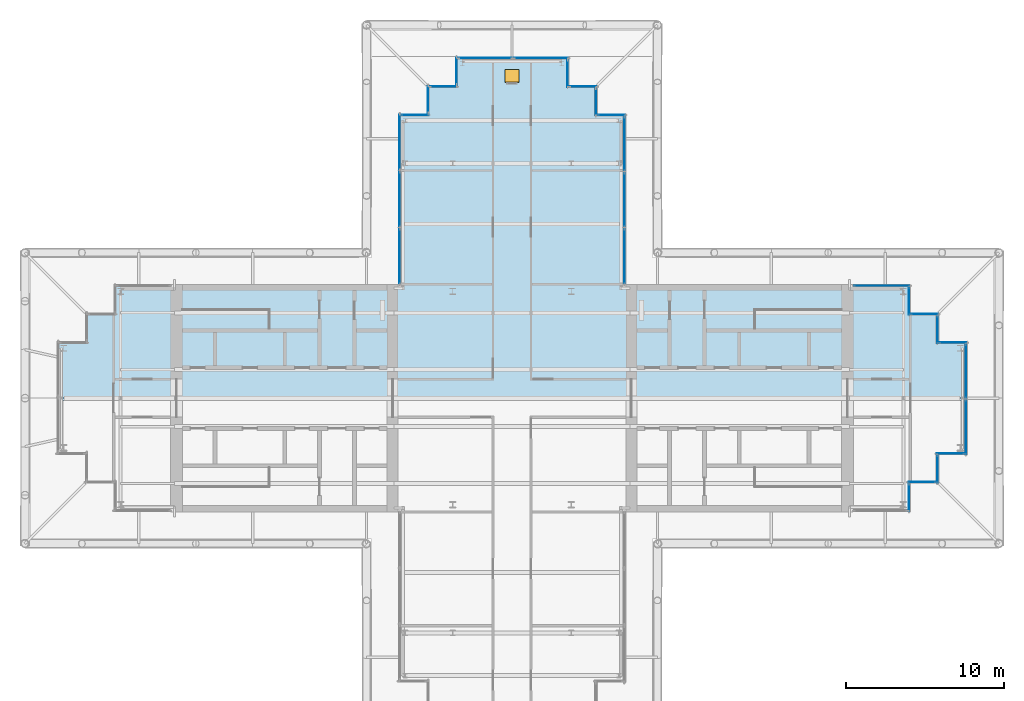
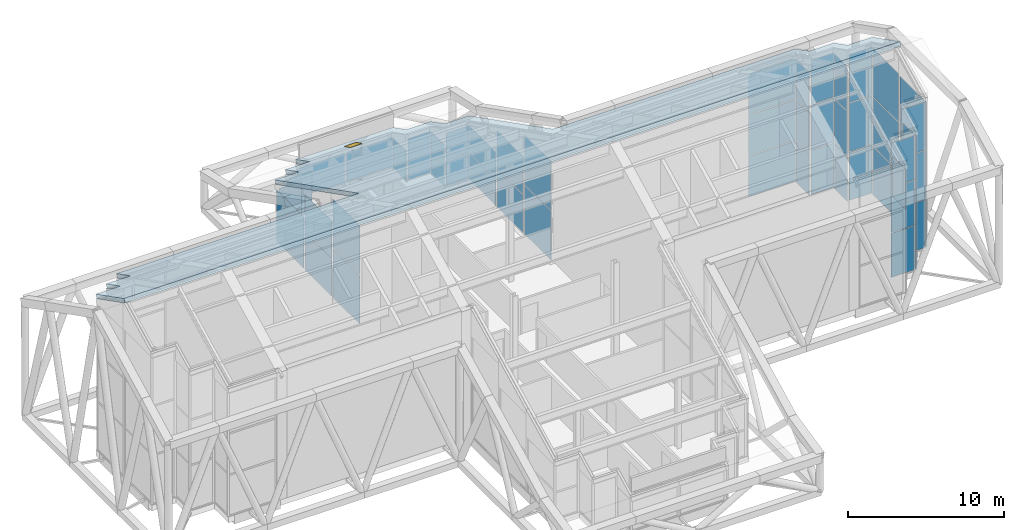
# One storey, part 19 of 25: 54 plates, 1 door, 1 slab, 1 opening, 27 elements without a shape of their own.
"""IFC4 building model written with IfcOpenShell, lengths in metres."""

from ifc_helpers import new_model, si_unit, direction, frame, frame_2d, origin, origin_2d, place, context, subcontext, project, spatial, polyline, rectangle, outline, extrude, material, layer, layer_set, type_object, element, fill, aggregate, save


model = new_model("IFC4")

# Units and contexts
model_context = context("Model", 3, precision=1e-05, world=origin(), true_north=direction((0.0, 1.0)))
body_context = subcontext(model_context, "Body", "Model", "MODEL_VIEW")
ifc_project = project(units=[si_unit("LENGTHUNIT", "METRE"), si_unit("AREAUNIT", "SQUARE_METRE"), si_unit("VOLUMEUNIT", "CUBIC_METRE"), si_unit("PLANEANGLEUNIT", "RADIAN"), si_unit("MASSUNIT", "GRAM", prefix="KILO")], contexts=[model_context])

# Site, building, storey
site_placement = place(None, origin())
site = spatial("IfcSite", under=ifc_project, at=site_placement, CompositionType="ELEMENT")
building_placement = place(site_placement, origin())
building = spatial("IfcBuilding", under=site, at=building_placement, Name="Fustian Cross Tower", CompositionType="ELEMENT")
storey_placement = place(building_placement, frame((0.0, 0.0, 247.5)))
storey = spatial("IfcBuildingStorey", under=building, at=storey_placement, Name="L77", CompositionType="ELEMENT", Elevation=247.5)

# Slab, opening, door
ifc_material_1 = material(Name="Concrete C40/50", Category="concrete")
ifc_layer_1 = layer(ifc_material_1, 0.300048828125)
ifc_layer_set_1 = layer_set([ifc_layer_1], Name="Concrete C40/50")
slab_type = type_object("IfcSlabType", Name="CROWN ROOF 300", PredefinedType="ROOF", material=ifc_layer_set_1)
slab_placement = place(storey_placement, frame((28.800048828125, 3.60009765625, 12.203369140625), z_axis=(0.0, 0.453805918275, 0.891100549062), x_axis=(-1.0, 0.0, 0.0)))
slab = element("IfcSlab", 1, at=slab_placement, inside=storey, type_object=slab_type, Name="CROWN ROOF NORTH", PredefinedType="ROOF", context=body_context, shape_type="SweptSolid", body=[
    extrude(outline(polyline([(0.0, 0.0), (1.800048828125, 0.0), (1.800048828125, -2.0198326344745197), (3.60009765625, -2.0198326344745197), (3.60009765625, -4.039882822794024), (7.199951171875, -4.039882822794024), (21.60009765625, -4.039882822794024), (21.60009765625, -16.15974481394504), (23.400146484375, -16.15974481394504), (23.400146484375, -18.179684209804027), (25.199951171875, -18.179684209804027), (25.199951171875, -20.19973439812353), (32.400146484375, -20.19973439812353), (32.400146484375, -18.179684209804027), (34.199951171875, -18.179684209804027), (34.199951171875, -16.15974481394504), (36.0, -16.15974481394504), (36.0, -4.039882822794024), (50.400146484375, -4.039882822794024), (54.0, -4.039882822794024), (54.0, -2.0198326344745197), (55.800048828125, -2.0198326344745197), (55.800048828125, 0.0), (57.60009765625, 0.0), (57.60009765625, 4.039989584178494), (0.0, 4.039989584178494), (0.0, 0.0)])), origin(), (0.0, 0.0, -1.0), 0.300048828125),
])
opening_placement = place(slab_placement, frame((28.800048828125, -18.852783203125, 0.02001953125)))
opening = element("IfcOpeningElement", 2, at=opening_placement, cuts=slab, Name="Opening RH1", PredefinedType="OPENING", context=body_context, shape_type="SweptSolid", body=[
    extrude(rectangle(XDim=0.89990234375, YDim=0.89990234375, at=frame_2d((0.0, 0.0), x_axis=(-1.0, 0.0))), origin(), (0.0, 0.0, -1.0), 0.340087890625),
])
ifc_material_2 = material(Name="Aluminium alloy 6063", Category="aluminium")
door_type = type_object("IfcDoorType", Name="ROOF ACCESS HATCH 900", OperationType="SINGLE_SWING_LEFT", PredefinedType="TRAPDOOR", material=ifc_material_2)
door_placement = place(opening_placement, frame((0.0, 0.0, -0.070068359375)))
door = element("IfcDoor", 3, at=door_placement, inside=storey, type_object=door_type, Name="Roof access hatch RH1", OperationType="NOTDEFINED", OverallHeight=0.89990234375, OverallWidth=0.89990234375, PredefinedType="TRAPDOOR", context=body_context, shape_type="SweptSolid", body=[
    extrude(rectangle(XDim=0.89990234375, YDim=0.89990234375, at=frame_2d((0.0, 0.0), x_axis=(-1.0, 0.0))), origin(), (0.0, 0.0, 1.0), 0.050048828125),
])
fill(opening, door)

# Curtain wall, plate
ifc_material_3 = material(Name="Glass", Category="glass")
curtain_wall_type = type_object("IfcCurtainWallType", Name="CW6 CURTAIN WALL", PredefinedType="NOTDEFINED", material=ifc_material_3)
curtain_wall_1_placement = place(storey_placement, origin())
curtain_wall_1 = element("IfcCurtainWall", 4, at=curtain_wall_1_placement, inside=storey, type_object=curtain_wall_type, Name="Curtain wall CW6", PredefinedType="NOTDEFINED")
ifc_material_4 = material(Name="Glass", Category="glass")
ifc_layer_2 = layer(ifc_material_4, 0.028076171875)
ifc_layer_set_2 = layer_set([ifc_layer_2], Name="Glass")
plate_type = type_object("IfcPlateType", Name="CW6 PANEL IGU28", PredefinedType="CURTAIN_PANEL", material=ifc_layer_set_2)
plate_1_placement = place(storey_placement, frame((25.110107421875, -6.300048828125, 6.485595703125), z_axis=(0.0, 0.0, 1.0), x_axis=(0.0, 1.0, 0.0)))
plate_1 = element("IfcPlate", 5, at=plate_1_placement, type_object=plate_type, Name="CW6 panel 1.3", PredefinedType="CURTAIN_PANEL", context=body_context, shape_type="SweptSolid", body=[
    extrude(rectangle(XDim=1.679931640625, YDim=0.028076171875, at=origin_2d()), origin(), (0.0, 0.0, 1.0), 3.1376953125),
])
aggregate(curtain_wall_1, [plate_1])

# Curtain wall, plates
curtain_wall_2_placement = place(storey_placement, origin())
curtain_wall_2 = element("IfcCurtainWall", 6, at=curtain_wall_2_placement, inside=storey, type_object=curtain_wall_type, Name="Curtain wall CW6", PredefinedType="NOTDEFINED")
plate_2_placement = place(storey_placement, frame((25.919921875, -5.31005859375, 0.06005859375), z_axis=(0.0, 0.0, 1.0), x_axis=(1.0, 0.0, 0.0)))
plate_2 = element("IfcPlate", 7, at=plate_2_placement, type_object=plate_type, Name="CW6 panel 1.1", PredefinedType="CURTAIN_PANEL", context=body_context, shape_type="SweptSolid", body=[
    extrude(rectangle(XDim=1.679931640625, YDim=0.028076171875, at=origin_2d()), origin(), (0.0, 0.0, 1.0), 3.45849609375),
])
plate_3_placement = place(storey_placement, frame((25.919921875, -5.31005859375, 3.57861328125), z_axis=(0.0, 0.0, 1.0), x_axis=(1.0, 0.0, 0.0)))
plate_3 = element("IfcPlate", 8, at=plate_3_placement, type_object=plate_type, Name="CW6 panel 1.2", PredefinedType="CURTAIN_PANEL", context=body_context, shape_type="SweptSolid", body=[
    extrude(rectangle(XDim=1.679931640625, YDim=0.028076171875, at=origin_2d()), origin(), (0.0, 0.0, 1.0), 3.488525390625),
])
plate_4_placement = place(storey_placement, frame((25.919921875, -5.31005859375, 7.127197265625), z_axis=(0.0, 0.0, 1.0), x_axis=(1.0, 0.0, 0.0)))
plate_4 = element("IfcPlate", 9, at=plate_4_placement, type_object=plate_type, Name="CW6 panel 1.3", PredefinedType="CURTAIN_PANEL", context=body_context, shape_type="SweptSolid", body=[
    extrude(rectangle(XDim=1.679931640625, YDim=0.028076171875, at=origin_2d()), origin(), (0.0, 0.0, 1.0), 3.45849609375),
])
aggregate(curtain_wall_2, [plate_2, plate_3, plate_4])

curtain_wall_3_placement = place(storey_placement, origin())
curtain_wall_3 = element("IfcCurtainWall", 10, at=curtain_wall_3_placement, inside=storey, type_object=curtain_wall_type, Name="Curtain wall CW6", PredefinedType="NOTDEFINED")
plate_5_placement = place(storey_placement, frame((26.909912109375, -4.5, 0.06005859375), z_axis=(0.0, 0.0, 1.0), x_axis=(0.0, 1.0, 0.0)))
plate_5 = element("IfcPlate", 11, at=plate_5_placement, type_object=plate_type, Name="CW6 panel 1.1", PredefinedType="CURTAIN_PANEL", context=body_context, shape_type="SweptSolid", body=[
    extrude(rectangle(XDim=1.679931640625, YDim=0.028076171875, at=origin_2d()), origin(), (0.0, 0.0, 1.0), 3.443359375),
])
plate_6_placement = place(storey_placement, frame((26.909912109375, -4.5, 3.5634765625), z_axis=(0.0, 0.0, 1.0), x_axis=(0.0, 1.0, 0.0)))
plate_6 = element("IfcPlate", 12, at=plate_6_placement, type_object=plate_type, Name="CW6 panel 1.2", PredefinedType="CURTAIN_PANEL", context=body_context, shape_type="SweptSolid", body=[
    extrude(rectangle(XDim=1.679931640625, YDim=0.028076171875, at=origin_2d()), origin(), (0.0, 0.0, 1.0), 3.473388671875),
])
plate_7_placement = place(storey_placement, frame((26.909912109375, -4.5, 7.0966796875), z_axis=(0.0, 0.0, 1.0), x_axis=(0.0, 1.0, 0.0)))
plate_7 = element("IfcPlate", 13, at=plate_7_placement, type_object=plate_type, Name="CW6 panel 1.3", PredefinedType="CURTAIN_PANEL", context=body_context, shape_type="SweptSolid", body=[
    extrude(rectangle(XDim=1.679931640625, YDim=0.028076171875, at=origin_2d()), origin(), (0.0, 0.0, 1.0), 3.443359375),
])
aggregate(curtain_wall_3, [plate_5, plate_6, plate_7])

curtain_wall_4_placement = place(storey_placement, origin())
curtain_wall_4 = element("IfcCurtainWall", 14, at=curtain_wall_4_placement, inside=storey, type_object=curtain_wall_type, Name="Curtain wall CW6", PredefinedType="NOTDEFINED")
plate_8_placement = place(storey_placement, frame((27.719970703125, -3.510009765625, 0.06005859375), z_axis=(0.0, 0.0, 1.0), x_axis=(1.0, 0.0, 0.0)))
plate_8 = element("IfcPlate", 15, at=plate_8_placement, type_object=plate_type, Name="CW6 panel 1.1", PredefinedType="CURTAIN_PANEL", context=body_context, shape_type="SweptSolid", body=[
    extrude(rectangle(XDim=1.679931640625, YDim=0.028076171875, at=origin_2d()), origin(), (0.0, 0.0, 1.0), 3.76416015625),
])
plate_9_placement = place(storey_placement, frame((27.719970703125, -3.510009765625, 3.88427734375), z_axis=(0.0, 0.0, 1.0), x_axis=(1.0, 0.0, 0.0)))
plate_9 = element("IfcPlate", 16, at=plate_9_placement, type_object=plate_type, Name="CW6 panel 1.2", PredefinedType="CURTAIN_PANEL", context=body_context, shape_type="SweptSolid", body=[
    extrude(rectangle(XDim=1.679931640625, YDim=0.028076171875, at=origin_2d()), origin(), (0.0, 0.0, 1.0), 3.794189453125),
])
plate_10_placement = place(storey_placement, frame((27.719970703125, -3.510009765625, 7.73828125), z_axis=(0.0, 0.0, 1.0), x_axis=(1.0, 0.0, 0.0)))
plate_10 = element("IfcPlate", 17, at=plate_10_placement, type_object=plate_type, Name="CW6 panel 1.3", PredefinedType="CURTAIN_PANEL", context=body_context, shape_type="SweptSolid", body=[
    extrude(rectangle(XDim=1.679931640625, YDim=0.028076171875, at=origin_2d()), origin(), (0.0, 0.0, 1.0), 3.76416015625),
])
aggregate(curtain_wall_4, [plate_8, plate_9, plate_10])

curtain_wall_5_placement = place(storey_placement, origin())
curtain_wall_5 = element("IfcCurtainWall", 18, at=curtain_wall_5_placement, inside=storey, type_object=curtain_wall_type, Name="Curtain wall CW6", PredefinedType="NOTDEFINED")
plate_11_placement = place(storey_placement, frame((28.7099609375, -1.844970703125, 0.06005859375), z_axis=(0.0, 0.0, 1.0), x_axis=(0.0, 1.0, 0.0)))
plate_11 = element("IfcPlate", 19, at=plate_11_placement, type_object=plate_type, Name="CW6 panel 1.1", PredefinedType="CURTAIN_PANEL", context=body_context, shape_type="SweptSolid", body=[
    extrude(rectangle(XDim=3.389892578125, YDim=0.028076171875, at=origin_2d()), origin(), (0.0, 0.0, 1.0), 3.748779296875),
])
plate_12_placement = place(storey_placement, frame((28.7099609375, -1.844970703125, 3.868896484375), z_axis=(0.0, 0.0, 1.0), x_axis=(0.0, 1.0, 0.0)))
plate_12 = element("IfcPlate", 20, at=plate_12_placement, type_object=plate_type, Name="CW6 panel 1.2", PredefinedType="CURTAIN_PANEL", context=body_context, shape_type="SweptSolid", body=[
    extrude(rectangle(XDim=3.389892578125, YDim=0.028076171875, at=origin_2d()), origin(), (0.0, 0.0, 1.0), 3.77880859375),
])
plate_13_placement = place(storey_placement, frame((28.7099609375, -1.844970703125, 7.7080078125), z_axis=(0.0, 0.0, 1.0), x_axis=(0.0, 1.0, 0.0)))
plate_13 = element("IfcPlate", 21, at=plate_13_placement, type_object=plate_type, Name="CW6 panel 1.3", PredefinedType="CURTAIN_PANEL", context=body_context, shape_type="SweptSolid", body=[
    extrude(rectangle(XDim=3.389892578125, YDim=0.028076171875, at=origin_2d()), origin(), (0.0, 0.0, 1.0), 3.748779296875),
])
aggregate(curtain_wall_5, [plate_11, plate_12, plate_13])

curtain_wall_6_placement = place(storey_placement, origin())
curtain_wall_6 = element("IfcCurtainWall", 22, at=curtain_wall_6_placement, inside=storey, type_object=curtain_wall_type, Name="Curtain wall CW6", PredefinedType="NOTDEFINED")
plate_14_placement = place(storey_placement, frame((28.7099609375, 1.695068359375, 0.06005859375), z_axis=(0.0, 0.0, 1.0), x_axis=(0.0, 1.0, 0.0)))
plate_14 = element("IfcPlate", 23, at=plate_14_placement, type_object=plate_type, Name="CW6 panel 1.1", PredefinedType="CURTAIN_PANEL", context=body_context, shape_type="SweptSolid", body=[
    extrude(rectangle(XDim=3.330078125, YDim=0.028076171875, at=origin_2d()), origin(), (0.0, 0.0, 1.0), 3.779541015625),
])
plate_15_placement = place(storey_placement, frame((28.7099609375, 1.695068359375, 3.8994140625), z_axis=(0.0, 0.0, 1.0), x_axis=(0.0, 1.0, 0.0)))
plate_15 = element("IfcPlate", 24, at=plate_15_placement, type_object=plate_type, Name="CW6 panel 1.2", PredefinedType="CURTAIN_PANEL", context=body_context, shape_type="SweptSolid", body=[
    extrude(rectangle(XDim=3.330078125, YDim=0.028076171875, at=origin_2d()), origin(), (0.0, 0.0, 1.0), 3.809326171875),
])
plate_16_placement = place(storey_placement, frame((28.7099609375, 1.695068359375, 7.76904296875), z_axis=(0.0, 0.0, 1.0), x_axis=(0.0, 1.0, 0.0)))
plate_16 = element("IfcPlate", 25, at=plate_16_placement, type_object=plate_type, Name="CW6 panel 1.3", PredefinedType="CURTAIN_PANEL", context=body_context, shape_type="SweptSolid", body=[
    extrude(rectangle(XDim=3.330078125, YDim=0.028076171875, at=origin_2d()), origin(), (0.0, 0.0, 1.0), 3.779541015625),
])
aggregate(curtain_wall_6, [plate_14, plate_15, plate_16])

curtain_wall_7_placement = place(storey_placement, origin())
curtain_wall_7 = element("IfcCurtainWall", 26, at=curtain_wall_7_placement, inside=storey, type_object=curtain_wall_type, Name="Curtain wall CW6", PredefinedType="NOTDEFINED")
plate_17_placement = place(storey_placement, frame((27.89990234375, 3.510009765625, 0.06005859375), z_axis=(0.0, 0.0, 1.0), x_axis=(-1.0, 0.0, 0.0)))
plate_17 = element("IfcPlate", 27, at=plate_17_placement, type_object=plate_type, Name="CW6 panel 1.1", PredefinedType="CURTAIN_PANEL", context=body_context, shape_type="SweptSolid", body=[
    extrude(rectangle(XDim=1.679931640625, YDim=0.028076171875, at=origin_2d()), origin(), (0.0, 0.0, 1.0), 3.76416015625),
])
plate_18_placement = place(storey_placement, frame((27.89990234375, 3.510009765625, 3.88427734375), z_axis=(0.0, 0.0, 1.0), x_axis=(-1.0, 0.0, 0.0)))
plate_18 = element("IfcPlate", 28, at=plate_18_placement, type_object=plate_type, Name="CW6 panel 1.2", PredefinedType="CURTAIN_PANEL", context=body_context, shape_type="SweptSolid", body=[
    extrude(rectangle(XDim=1.679931640625, YDim=0.028076171875, at=origin_2d()), origin(), (0.0, 0.0, 1.0), 3.794189453125),
])
plate_19_placement = place(storey_placement, frame((27.89990234375, 3.510009765625, 7.73828125), z_axis=(0.0, 0.0, 1.0), x_axis=(-1.0, 0.0, 0.0)))
plate_19 = element("IfcPlate", 29, at=plate_19_placement, type_object=plate_type, Name="CW6 panel 1.3", PredefinedType="CURTAIN_PANEL", context=body_context, shape_type="SweptSolid", body=[
    extrude(rectangle(XDim=1.679931640625, YDim=0.028076171875, at=origin_2d()), origin(), (0.0, 0.0, 1.0), 3.76416015625),
])
aggregate(curtain_wall_7, [plate_17, plate_18, plate_19])

curtain_wall_8_placement = place(storey_placement, origin())
curtain_wall_8 = element("IfcCurtainWall", 30, at=curtain_wall_8_placement, inside=storey, type_object=curtain_wall_type, Name="Curtain wall CW6", PredefinedType="NOTDEFINED")
plate_20_placement = place(storey_placement, frame((26.909912109375, 4.320068359375, 0.06005859375), z_axis=(0.0, 0.0, 1.0), x_axis=(0.0, 1.0, 0.0)))
plate_20 = element("IfcPlate", 31, at=plate_20_placement, type_object=plate_type, Name="CW6 panel 1.1", PredefinedType="CURTAIN_PANEL", context=body_context, shape_type="SweptSolid", body=[
    extrude(rectangle(XDim=1.679931640625, YDim=0.028076171875, at=origin_2d()), origin(), (0.0, 0.0, 1.0), 3.473876953125),
])
plate_21_placement = place(storey_placement, frame((26.909912109375, 4.320068359375, 3.593994140625), z_axis=(0.0, 0.0, 1.0), x_axis=(0.0, 1.0, 0.0)))
plate_21 = element("IfcPlate", 32, at=plate_21_placement, type_object=plate_type, Name="CW6 panel 1.2", PredefinedType="CURTAIN_PANEL", context=body_context, shape_type="SweptSolid", body=[
    extrude(rectangle(XDim=1.679931640625, YDim=0.028076171875, at=origin_2d()), origin(), (0.0, 0.0, 1.0), 3.50390625),
])
plate_22_placement = place(storey_placement, frame((26.909912109375, 4.320068359375, 7.15771484375), z_axis=(0.0, 0.0, 1.0), x_axis=(0.0, 1.0, 0.0)))
plate_22 = element("IfcPlate", 33, at=plate_22_placement, type_object=plate_type, Name="CW6 panel 1.3", PredefinedType="CURTAIN_PANEL", context=body_context, shape_type="SweptSolid", body=[
    extrude(rectangle(XDim=1.679931640625, YDim=0.028076171875, at=origin_2d()), origin(), (0.0, 0.0, 1.0), 3.473876953125),
])
aggregate(curtain_wall_8, [plate_20, plate_21, plate_22])

curtain_wall_9_placement = place(storey_placement, origin())
curtain_wall_9 = element("IfcCurtainWall", 34, at=curtain_wall_9_placement, inside=storey, type_object=curtain_wall_type, Name="Curtain wall CW6", PredefinedType="NOTDEFINED")
plate_23_placement = place(storey_placement, frame((26.10009765625, 5.31005859375, 0.06005859375), z_axis=(0.0, 0.0, 1.0), x_axis=(-1.0, 0.0, 0.0)))
plate_23 = element("IfcPlate", 35, at=plate_23_placement, type_object=plate_type, Name="CW6 panel 1.1", PredefinedType="CURTAIN_PANEL", context=body_context, shape_type="SweptSolid", body=[
    extrude(rectangle(XDim=1.679931640625, YDim=0.028076171875, at=origin_2d()), origin(), (0.0, 0.0, 1.0), 3.45849609375),
])
plate_24_placement = place(storey_placement, frame((26.10009765625, 5.31005859375, 3.57861328125), z_axis=(0.0, 0.0, 1.0), x_axis=(-1.0, 0.0, 0.0)))
plate_24 = element("IfcPlate", 36, at=plate_24_placement, type_object=plate_type, Name="CW6 panel 1.2", PredefinedType="CURTAIN_PANEL", context=body_context, shape_type="SweptSolid", body=[
    extrude(rectangle(XDim=1.679931640625, YDim=0.028076171875, at=origin_2d()), origin(), (0.0, 0.0, 1.0), 3.488525390625),
])
plate_25_placement = place(storey_placement, frame((26.10009765625, 5.31005859375, 7.127197265625), z_axis=(0.0, 0.0, 1.0), x_axis=(-1.0, 0.0, 0.0)))
plate_25 = element("IfcPlate", 37, at=plate_25_placement, type_object=plate_type, Name="CW6 panel 1.3", PredefinedType="CURTAIN_PANEL", context=body_context, shape_type="SweptSolid", body=[
    extrude(rectangle(XDim=1.679931640625, YDim=0.028076171875, at=origin_2d()), origin(), (0.0, 0.0, 1.0), 3.45849609375),
])
aggregate(curtain_wall_9, [plate_23, plate_24, plate_25])

curtain_wall_10_placement = place(storey_placement, origin())
curtain_wall_10 = element("IfcCurtainWall", 38, at=curtain_wall_10_placement, inside=storey, type_object=curtain_wall_type, Name="Curtain wall CW6", PredefinedType="NOTDEFINED")
plate_26_placement = place(storey_placement, frame((25.110107421875, 6.1201171875, 0.06005859375), z_axis=(0.0, 0.0, 1.0), x_axis=(0.0, 1.0, 0.0)))
plate_26 = element("IfcPlate", 39, at=plate_26_placement, type_object=plate_type, Name="CW6 panel 1.1", PredefinedType="CURTAIN_PANEL", context=body_context, shape_type="SweptSolid", body=[
    extrude(rectangle(XDim=1.679931640625, YDim=0.028076171875, at=origin_2d()), origin(), (0.0, 0.0, 1.0), 3.168212890625),
])
plate_27_placement = place(storey_placement, frame((25.110107421875, 6.1201171875, 3.288330078125), z_axis=(0.0, 0.0, 1.0), x_axis=(0.0, 1.0, 0.0)))
plate_27 = element("IfcPlate", 40, at=plate_27_placement, type_object=plate_type, Name="CW6 panel 1.2", PredefinedType="CURTAIN_PANEL", context=body_context, shape_type="SweptSolid", body=[
    extrude(rectangle(XDim=1.679931640625, YDim=0.028076171875, at=origin_2d()), origin(), (0.0, 0.0, 1.0), 3.1982421875),
])
plate_28_placement = place(storey_placement, frame((25.110107421875, 6.1201171875, 6.546875), z_axis=(0.0, 0.0, 1.0), x_axis=(0.0, 1.0, 0.0)))
plate_28 = element("IfcPlate", 41, at=plate_28_placement, type_object=plate_type, Name="CW6 panel 1.3", PredefinedType="CURTAIN_PANEL", context=body_context, shape_type="SweptSolid", body=[
    extrude(rectangle(XDim=1.679931640625, YDim=0.028076171875, at=origin_2d()), origin(), (0.0, 0.0, 1.0), 3.168212890625),
])
aggregate(curtain_wall_10, [plate_26, plate_27, plate_28])

curtain_wall_11_placement = place(storey_placement, origin())
curtain_wall_11 = element("IfcCurtainWall", 42, at=curtain_wall_11_placement, inside=storey, type_object=curtain_wall_type, Name="Curtain wall CW6", PredefinedType="NOTDEFINED")
plate_29_placement = place(storey_placement, frame((23.39990234375, 7.110107421875, 0.06005859375), z_axis=(0.0, 0.0, 1.0), x_axis=(-1.0, 0.0, 0.0)))
plate_29 = element("IfcPlate", 43, at=plate_29_placement, type_object=plate_type, Name="CW6 panel 1.1", PredefinedType="CURTAIN_PANEL", context=body_context, shape_type="SweptSolid", body=[
    extrude(rectangle(XDim=3.47998046875, YDim=0.028076171875, at=origin_2d()), origin(), (0.0, 0.0, 1.0), 3.153076171875),
])
plate_30_placement = place(storey_placement, frame((23.39990234375, 7.110107421875, 3.27294921875), z_axis=(0.0, 0.0, 1.0), x_axis=(-1.0, 0.0, 0.0)))
plate_30 = element("IfcPlate", 44, at=plate_30_placement, type_object=plate_type, Name="CW6 panel 1.2", PredefinedType="CURTAIN_PANEL", context=body_context, shape_type="SweptSolid", body=[
    extrude(rectangle(XDim=3.47998046875, YDim=0.028076171875, at=origin_2d()), origin(), (0.0, 0.0, 1.0), 3.18310546875),
])
plate_31_placement = place(storey_placement, frame((23.39990234375, 7.110107421875, 6.51611328125), z_axis=(0.0, 0.0, 1.0), x_axis=(-1.0, 0.0, 0.0)))
plate_31 = element("IfcPlate", 45, at=plate_31_placement, type_object=plate_type, Name="CW6 panel 1.3", PredefinedType="CURTAIN_PANEL", context=body_context, shape_type="SweptSolid", body=[
    extrude(rectangle(XDim=3.47998046875, YDim=0.028076171875, at=origin_2d()), origin(), (0.0, 0.0, 1.0), 3.153076171875),
])
aggregate(curtain_wall_11, [plate_29, plate_30, plate_31])

curtain_wall_12_placement = place(storey_placement, origin())
curtain_wall_12 = element("IfcCurtainWall", 46, at=curtain_wall_12_placement, inside=storey, type_object=curtain_wall_type, Name="Curtain wall CW6", PredefinedType="NOTDEFINED")
plate_32_placement = place(storey_placement, frame((7.110107421875, 8.969970703125, 0.06005859375), z_axis=(0.0, 0.0, 1.0), x_axis=(0.0, 1.0, 0.0)))
plate_32 = element("IfcPlate", 47, at=plate_32_placement, type_object=plate_type, Name="CW6 panel 1.1", PredefinedType="CURTAIN_PANEL", context=body_context, shape_type="SweptSolid", body=[
    extrude(rectangle(XDim=3.419921875, YDim=0.028076171875, at=origin_2d()), origin(), (0.0, 0.0, 1.0), 3.850341796875),
])
plate_33_placement = place(storey_placement, frame((7.110107421875, 8.969970703125, 3.97021484375), z_axis=(0.0, 0.0, 1.0), x_axis=(0.0, 1.0, 0.0)))
plate_33 = element("IfcPlate", 48, at=plate_33_placement, type_object=plate_type, Name="CW6 panel 1.2", PredefinedType="CURTAIN_PANEL", context=body_context, shape_type="SweptSolid", body=[
    extrude(rectangle(XDim=3.419921875, YDim=0.028076171875, at=origin_2d()), origin(), (0.0, 0.0, 1.0), 3.850341796875),
])
aggregate(curtain_wall_12, [plate_32, plate_33])

curtain_wall_13_placement = place(storey_placement, origin())
curtain_wall_13 = element("IfcCurtainWall", 49, at=curtain_wall_13_placement, inside=storey, type_object=curtain_wall_type, Name="Curtain wall CW6", PredefinedType="NOTDEFINED")
plate_34_placement = place(storey_placement, frame((7.110107421875, 12.5400390625, 0.06005859375), z_axis=(0.0, 0.0, 1.0), x_axis=(0.0, 1.0, 0.0)))
plate_34 = element("IfcPlate", 50, at=plate_34_placement, type_object=plate_type, Name="CW6 panel 1.1", PredefinedType="CURTAIN_PANEL", context=body_context, shape_type="SweptSolid", body=[
    extrude(rectangle(XDim=3.360107421875, YDim=0.028076171875, at=origin_2d()), origin(), (0.0, 0.0, 1.0), 2.948974609375),
])
plate_35_placement = place(storey_placement, frame((7.110107421875, 12.5400390625, 3.06884765625), z_axis=(0.0, 0.0, 1.0), x_axis=(0.0, 1.0, 0.0)))
plate_35 = element("IfcPlate", 51, at=plate_35_placement, type_object=plate_type, Name="CW6 panel 1.2", PredefinedType="CURTAIN_PANEL", context=body_context, shape_type="SweptSolid", body=[
    extrude(rectangle(XDim=3.360107421875, YDim=0.028076171875, at=origin_2d()), origin(), (0.0, 0.0, 1.0), 2.948974609375),
])
aggregate(curtain_wall_13, [plate_34, plate_35])

curtain_wall_14_placement = place(storey_placement, origin())
curtain_wall_14 = element("IfcCurtainWall", 52, at=curtain_wall_14_placement, inside=storey, type_object=curtain_wall_type, Name="Curtain wall CW6", PredefinedType="NOTDEFINED")
plate_36_placement = place(storey_placement, frame((7.110107421875, 16.080078125, 0.06005859375), z_axis=(0.0, 0.0, 1.0), x_axis=(0.0, 1.0, 0.0)))
plate_36 = element("IfcPlate", 53, at=plate_36_placement, type_object=plate_type, Name="CW6 panel 1.1", PredefinedType="CURTAIN_PANEL", context=body_context, shape_type="SweptSolid", body=[
    extrude(rectangle(XDim=3.360107421875, YDim=0.028076171875, at=origin_2d()), origin(), (0.0, 0.0, 1.0), 2.047607421875),
])
plate_37_placement = place(storey_placement, frame((7.110107421875, 16.080078125, 2.16748046875), z_axis=(0.0, 0.0, 1.0), x_axis=(0.0, 1.0, 0.0)))
plate_37 = element("IfcPlate", 54, at=plate_37_placement, type_object=plate_type, Name="CW6 panel 1.2", PredefinedType="CURTAIN_PANEL", context=body_context, shape_type="SweptSolid", body=[
    extrude(rectangle(XDim=3.360107421875, YDim=0.028076171875, at=origin_2d()), origin(), (0.0, 0.0, 1.0), 2.047607421875),
])
aggregate(curtain_wall_14, [plate_36, plate_37])

curtain_wall_15_placement = place(storey_placement, origin())
curtain_wall_15 = element("IfcCurtainWall", 55, at=curtain_wall_15_placement, inside=storey, type_object=curtain_wall_type, Name="Curtain wall CW6", PredefinedType="NOTDEFINED")
plate_38_placement = place(storey_placement, frame((6.300048828125, 17.909912109375, 0.06005859375), z_axis=(0.0, 0.0, 1.0), x_axis=(-1.0, 0.0, 0.0)))
plate_38 = element("IfcPlate", 56, at=plate_38_placement, type_object=plate_type, Name="CW6 panel 1.1", PredefinedType="CURTAIN_PANEL", context=body_context, shape_type="SweptSolid", body=[
    extrude(rectangle(XDim=1.679931640625, YDim=0.028076171875, at=origin_2d()), origin(), (0.0, 0.0, 1.0), 2.024658203125),
])
plate_39_placement = place(storey_placement, frame((6.300048828125, 17.909912109375, 2.14453125), z_axis=(0.0, 0.0, 1.0), x_axis=(-1.0, 0.0, 0.0)))
plate_39 = element("IfcPlate", 57, at=plate_39_placement, type_object=plate_type, Name="CW6 panel 1.2", PredefinedType="CURTAIN_PANEL", context=body_context, shape_type="SweptSolid", body=[
    extrude(rectangle(XDim=1.679931640625, YDim=0.028076171875, at=origin_2d()), origin(), (0.0, 0.0, 1.0), 2.024658203125),
])
aggregate(curtain_wall_15, [plate_38, plate_39])

# Curtain wall, plate
curtain_wall_16_placement = place(storey_placement, origin())
curtain_wall_16 = element("IfcCurtainWall", 58, at=curtain_wall_16_placement, inside=storey, type_object=curtain_wall_type, Name="Curtain wall CW6", PredefinedType="NOTDEFINED")
plate_40_placement = place(storey_placement, frame((5.31005859375, 18.719970703125, 0.06005859375), z_axis=(0.0, 0.0, 1.0), x_axis=(0.0, 1.0, 0.0)))
plate_40 = element("IfcPlate", 59, at=plate_40_placement, type_object=plate_type, Name="CW6 panel 1.1", PredefinedType="CURTAIN_PANEL", context=body_context, shape_type="SweptSolid", body=[
    extrude(rectangle(XDim=1.679931640625, YDim=0.028076171875, at=origin_2d()), origin(), (0.0, 0.0, 1.0), 3.23828125),
])
aggregate(curtain_wall_16, [plate_40])

curtain_wall_17_placement = place(storey_placement, origin())
curtain_wall_17 = element("IfcCurtainWall", 60, at=curtain_wall_17_placement, inside=storey, type_object=curtain_wall_type, Name="Curtain wall CW6", PredefinedType="NOTDEFINED")
plate_41_placement = place(storey_placement, frame((4.5, 19.7099609375, 0.06005859375), z_axis=(0.0, 0.0, 1.0), x_axis=(-1.0, 0.0, 0.0)))
plate_41 = element("IfcPlate", 61, at=plate_41_placement, type_object=plate_type, Name="CW6 panel 1.1", PredefinedType="CURTAIN_PANEL", context=body_context, shape_type="SweptSolid", body=[
    extrude(rectangle(XDim=1.679931640625, YDim=0.028076171875, at=origin_2d()), origin(), (0.0, 0.0, 1.0), 3.1923828125),
])
aggregate(curtain_wall_17, [plate_41])

curtain_wall_18_placement = place(storey_placement, origin())
curtain_wall_18 = element("IfcCurtainWall", 62, at=curtain_wall_18_placement, inside=storey, type_object=curtain_wall_type, Name="Curtain wall CW6", PredefinedType="NOTDEFINED")
plate_42_placement = place(storey_placement, frame((3.510009765625, 20.52001953125, 0.06005859375), z_axis=(0.0, 0.0, 1.0), x_axis=(0.0, 1.0, 0.0)))
plate_42 = element("IfcPlate", 63, at=plate_42_placement, type_object=plate_type, Name="CW6 panel 1.1", PredefinedType="CURTAIN_PANEL", context=body_context, shape_type="SweptSolid", body=[
    extrude(rectangle(XDim=1.679931640625, YDim=0.028076171875, at=origin_2d()), origin(), (0.0, 0.0, 1.0), 2.32177734375),
])
aggregate(curtain_wall_18, [plate_42])

curtain_wall_19_placement = place(storey_placement, origin())
curtain_wall_19 = element("IfcCurtainWall", 64, at=curtain_wall_19_placement, inside=storey, type_object=curtain_wall_type, Name="Curtain wall CW6", PredefinedType="NOTDEFINED")
plate_43_placement = place(storey_placement, frame((1.844970703125, 21.510009765625, 0.06005859375), z_axis=(0.0, 0.0, 1.0), x_axis=(-1.0, 0.0, 0.0)))
plate_43 = element("IfcPlate", 65, at=plate_43_placement, type_object=plate_type, Name="CW6 panel 1.1", PredefinedType="CURTAIN_PANEL", context=body_context, shape_type="SweptSolid", body=[
    extrude(rectangle(XDim=3.389892578125, YDim=0.028076171875, at=origin_2d()), origin(), (0.0, 0.0, 1.0), 2.27587890625),
])
aggregate(curtain_wall_19, [plate_43])

curtain_wall_20_placement = place(storey_placement, origin())
curtain_wall_20 = element("IfcCurtainWall", 66, at=curtain_wall_20_placement, inside=storey, type_object=curtain_wall_type, Name="Curtain wall CW6", PredefinedType="NOTDEFINED")
plate_44_placement = place(storey_placement, frame((-1.695068359375, 21.510009765625, 0.06005859375), z_axis=(0.0, 0.0, 1.0), x_axis=(-1.0, 0.0, 0.0)))
plate_44 = element("IfcPlate", 67, at=plate_44_placement, type_object=plate_type, Name="CW6 panel 1.1", PredefinedType="CURTAIN_PANEL", context=body_context, shape_type="SweptSolid", body=[
    extrude(rectangle(XDim=3.330078125, YDim=0.028076171875, at=origin_2d()), origin(), (0.0, 0.0, 1.0), 2.27587890625),
])
aggregate(curtain_wall_20, [plate_44])

curtain_wall_21_placement = place(storey_placement, origin())
curtain_wall_21 = element("IfcCurtainWall", 68, at=curtain_wall_21_placement, inside=storey, type_object=curtain_wall_type, Name="Curtain wall CW6", PredefinedType="NOTDEFINED")
plate_45_placement = place(storey_placement, frame((-3.510009765625, 20.699951171875, 0.06005859375), z_axis=(0.0, 0.0, 1.0), x_axis=(0.0, -1.0, 0.0)))
plate_45 = element("IfcPlate", 69, at=plate_45_placement, type_object=plate_type, Name="CW6 panel 1.1", PredefinedType="CURTAIN_PANEL", context=body_context, shape_type="SweptSolid", body=[
    extrude(rectangle(XDim=1.679931640625, YDim=0.028076171875, at=origin_2d()), origin(), (0.0, 0.0, 1.0), 2.22998046875),
])
aggregate(curtain_wall_21, [plate_45])

curtain_wall_22_placement = place(storey_placement, origin())
curtain_wall_22 = element("IfcCurtainWall", 70, at=curtain_wall_22_placement, inside=storey, type_object=curtain_wall_type, Name="Curtain wall CW6", PredefinedType="NOTDEFINED")
plate_46_placement = place(storey_placement, frame((-4.320068359375, 19.7099609375, 0.06005859375), z_axis=(0.0, 0.0, 1.0), x_axis=(-1.0, 0.0, 0.0)))
plate_46 = element("IfcPlate", 71, at=plate_46_placement, type_object=plate_type, Name="CW6 panel 1.1", PredefinedType="CURTAIN_PANEL", context=body_context, shape_type="SweptSolid", body=[
    extrude(rectangle(XDim=1.679931640625, YDim=0.028076171875, at=origin_2d()), origin(), (0.0, 0.0, 1.0), 3.1923828125),
])
aggregate(curtain_wall_22, [plate_46])

curtain_wall_23_placement = place(storey_placement, origin())
curtain_wall_23 = element("IfcCurtainWall", 72, at=curtain_wall_23_placement, inside=storey, type_object=curtain_wall_type, Name="Curtain wall CW6", PredefinedType="NOTDEFINED")
plate_47_placement = place(storey_placement, frame((-5.31005859375, 18.89990234375, 0.06005859375), z_axis=(0.0, 0.0, 1.0), x_axis=(0.0, -1.0, 0.0)))
plate_47 = element("IfcPlate", 73, at=plate_47_placement, type_object=plate_type, Name="CW6 panel 1.1", PredefinedType="CURTAIN_PANEL", context=body_context, shape_type="SweptSolid", body=[
    extrude(rectangle(XDim=1.679931640625, YDim=0.028076171875, at=origin_2d()), origin(), (0.0, 0.0, 1.0), 3.146728515625),
])
aggregate(curtain_wall_23, [plate_47])

# Curtain wall, plates
curtain_wall_24_placement = place(storey_placement, origin())
curtain_wall_24 = element("IfcCurtainWall", 74, at=curtain_wall_24_placement, inside=storey, type_object=curtain_wall_type, Name="Curtain wall CW6", PredefinedType="NOTDEFINED")
plate_48_placement = place(storey_placement, frame((-6.1201171875, 17.909912109375, 0.06005859375), z_axis=(0.0, 0.0, 1.0), x_axis=(-1.0, 0.0, 0.0)))
plate_48 = element("IfcPlate", 75, at=plate_48_placement, type_object=plate_type, Name="CW6 panel 1.1", PredefinedType="CURTAIN_PANEL", context=body_context, shape_type="SweptSolid", body=[
    extrude(rectangle(XDim=1.679931640625, YDim=0.028076171875, at=origin_2d()), origin(), (0.0, 0.0, 1.0), 2.024658203125),
])
plate_49_placement = place(storey_placement, frame((-6.1201171875, 17.909912109375, 2.14453125), z_axis=(0.0, 0.0, 1.0), x_axis=(-1.0, 0.0, 0.0)))
plate_49 = element("IfcPlate", 76, at=plate_49_placement, type_object=plate_type, Name="CW6 panel 1.2", PredefinedType="CURTAIN_PANEL", context=body_context, shape_type="SweptSolid", body=[
    extrude(rectangle(XDim=1.679931640625, YDim=0.028076171875, at=origin_2d()), origin(), (0.0, 0.0, 1.0), 2.024658203125),
])
aggregate(curtain_wall_24, [plate_48, plate_49])

# Curtain wall, plate
curtain_wall_25_placement = place(storey_placement, origin())
curtain_wall_25 = element("IfcCurtainWall", 77, at=curtain_wall_25_placement, inside=storey, type_object=curtain_wall_type, Name="Curtain wall CW6", PredefinedType="NOTDEFINED")
plate_50_placement = place(storey_placement, frame((-7.110107421875, 16.199951171875, 0.06005859375), z_axis=(0.0, 0.0, 1.0), x_axis=(0.0, -1.0, 0.0)))
plate_50 = element("IfcPlate", 78, at=plate_50_placement, type_object=plate_type, Name="CW6 panel 1.1", PredefinedType="CURTAIN_PANEL", context=body_context, shape_type="SweptSolid", body=[
    extrude(rectangle(XDim=3.47998046875, YDim=0.028076171875, at=origin_2d()), origin(), (0.0, 0.0, 1.0), 4.063232421875),
])
aggregate(curtain_wall_25, [plate_50])

# Curtain wall, plates
curtain_wall_26_placement = place(storey_placement, origin())
curtain_wall_26 = element("IfcCurtainWall", 79, at=curtain_wall_26_placement, inside=storey, type_object=curtain_wall_type, Name="Curtain wall CW6", PredefinedType="NOTDEFINED")
plate_51_placement = place(storey_placement, frame((-7.110107421875, 12.570068359375, 0.06005859375), z_axis=(0.0, 0.0, 1.0), x_axis=(0.0, -1.0, 0.0)))
plate_51 = element("IfcPlate", 80, at=plate_51_placement, type_object=plate_type, Name="CW6 panel 1.1", PredefinedType="CURTAIN_PANEL", context=body_context, shape_type="SweptSolid", body=[
    extrude(rectangle(XDim=3.419921875, YDim=0.028076171875, at=origin_2d()), origin(), (0.0, 0.0, 1.0), 2.918212890625),
])
plate_52_placement = place(storey_placement, frame((-7.110107421875, 12.570068359375, 3.03857421875), z_axis=(0.0, 0.0, 1.0), x_axis=(0.0, -1.0, 0.0)))
plate_52 = element("IfcPlate", 81, at=plate_52_placement, type_object=plate_type, Name="CW6 panel 1.2", PredefinedType="CURTAIN_PANEL", context=body_context, shape_type="SweptSolid", body=[
    extrude(rectangle(XDim=3.419921875, YDim=0.028076171875, at=origin_2d()), origin(), (0.0, 0.0, 1.0), 2.918212890625),
])
aggregate(curtain_wall_26, [plate_51, plate_52])

curtain_wall_27_placement = place(storey_placement, origin())
curtain_wall_27 = element("IfcCurtainWall", 82, at=curtain_wall_27_placement, inside=storey, type_object=curtain_wall_type, Name="Curtain wall CW6", PredefinedType="NOTDEFINED")
plate_53_placement = place(storey_placement, frame((-7.110107421875, 8.969970703125, 0.06005859375), z_axis=(0.0, 0.0, 1.0), x_axis=(0.0, -1.0, 0.0)))
plate_53 = element("IfcPlate", 83, at=plate_53_placement, type_object=plate_type, Name="CW6 panel 1.1", PredefinedType="CURTAIN_PANEL", context=body_context, shape_type="SweptSolid", body=[
    extrude(rectangle(XDim=3.419921875, YDim=0.028076171875, at=origin_2d()), origin(), (0.0, 0.0, 1.0), 3.8349609375),
])
plate_54_placement = place(storey_placement, frame((-7.110107421875, 8.969970703125, 3.955078125), z_axis=(0.0, 0.0, 1.0), x_axis=(0.0, -1.0, 0.0)))
plate_54 = element("IfcPlate", 84, at=plate_54_placement, type_object=plate_type, Name="CW6 panel 1.2", PredefinedType="CURTAIN_PANEL", context=body_context, shape_type="SweptSolid", body=[
    extrude(rectangle(XDim=3.419921875, YDim=0.028076171875, at=origin_2d()), origin(), (0.0, 0.0, 1.0), 3.8349609375),
])
aggregate(curtain_wall_27, [plate_53, plate_54])

save(model, "model.ifc")
